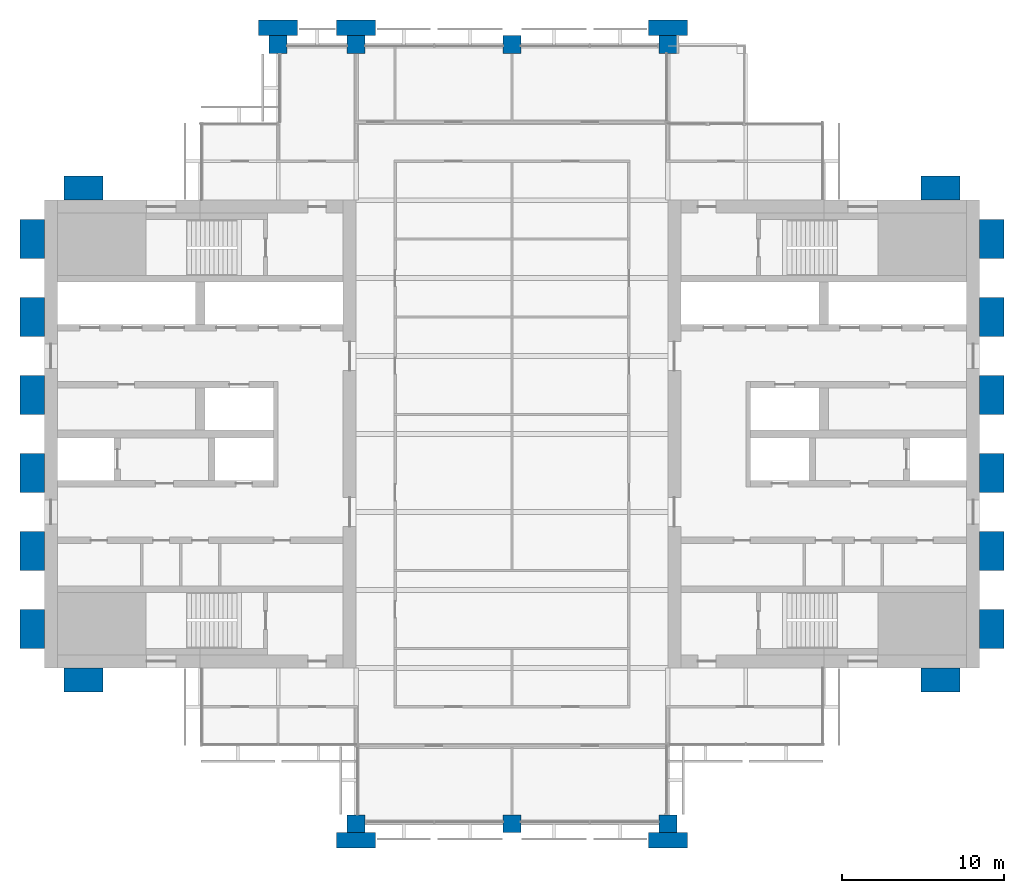
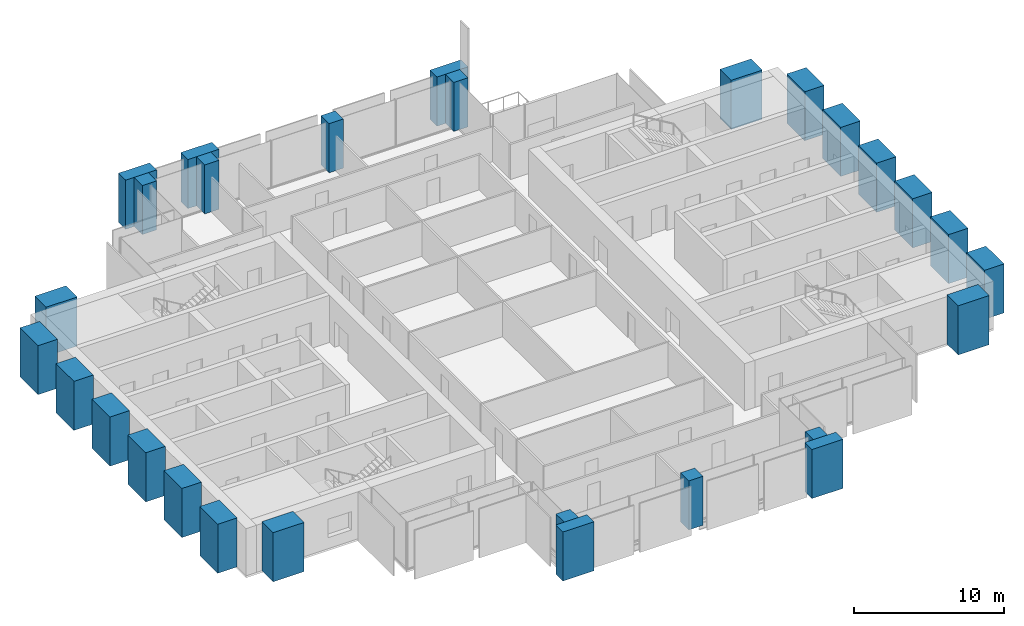
# One storey, part 1 of 13: 28 columns.
"""IFC4 building model written with IfcOpenShell, lengths in metres."""

from ifc_helpers import new_model, si_unit, direction, frame, origin, origin_2d, place, context, subcontext, project, spatial, rectangle, extrude, material, material_profile, profile_set, type_object, element, save


model = new_model("IFC4")

# Units and contexts
model_context = context("Model", 3, precision=1e-05, world=origin(), true_north=direction((0.0, 1.0)))
body_context = subcontext(model_context, "Body", "Model", "MODEL_VIEW")
ifc_project = project(units=[si_unit("LENGTHUNIT", "METRE"), si_unit("AREAUNIT", "SQUARE_METRE"), si_unit("VOLUMEUNIT", "CUBIC_METRE"), si_unit("PLANEANGLEUNIT", "RADIAN"), si_unit("MASSUNIT", "GRAM", prefix="KILO")], contexts=[model_context])

# Site, building, storey
site_placement = place(None, origin())
site = spatial("IfcSite", under=ifc_project, at=site_placement, CompositionType="ELEMENT")
building_placement = place(site_placement, origin())
building = spatial("IfcBuilding", under=site, at=building_placement, Name="Baori Bourse Tower", CompositionType="ELEMENT")
storey_placement = place(building_placement, frame((0.0, 0.0, 205.199951171875)))
storey = spatial("IfcBuildingStorey", under=building, at=storey_placement, Name="L44", CompositionType="ELEMENT", Elevation=205.199951171875)

# Columns
ifc_material_1 = material(Name="Concrete f'c 60 MPa", Category="concrete")
ifc_material_profile_1 = material_profile(ifc_material_1, rectangle(XDim=2.39990234375, YDim=0.949951171875, at=origin_2d()), Name="RC 2400x950")
ifc_profile_set_1 = profile_set([ifc_material_profile_1], Name="Concrete f'c 60 MPa")
column_type_1 = type_object("IfcColumnType", Name="FN3 Brick pilaster 2400x950", PredefinedType="PILASTER", material=ifc_profile_set_1)
for number, where, z_axis, x_axis, name in (
    (1, (19.199951171875, -1.02490234375, 0.0), (0.0, 0.0, 1.0), (1.0, 0.0, 0.0), "Brick pilaster L44 17"),
    (2, (38.39990234375, -1.02490234375, 0.0), (0.0, 0.0, 1.0), (1.0, 0.0, 0.0), "Brick pilaster L44 18"),
    (3, (14.39990234375, 49.02490234375, 0.0), (0.0, 0.0, 1.0), (1.0, 0.0, 0.0), "Brick pilaster L44 19"),
    (4, (19.199951171875, 49.02490234375, 0.0), (0.0, 0.0, 1.0), (1.0, 0.0, 0.0), "Brick pilaster L44 20"),
    (5, (38.39990234375, 49.02490234375, 0.0), (0.0, 0.0, 1.0), (1.0, 0.0, 0.0), "Brick pilaster L44 21"),
):
    element("IfcColumn", number, at=place(storey_placement, frame(where, z_axis=z_axis, x_axis=x_axis)), inside=storey, type_object=column_type_1, Name=name, PredefinedType="PILASTER", context=body_context, shape_type="SweptSolid", body=[
        extrude(rectangle(XDim=2.39990234375, YDim=0.949951171875, at=origin_2d()), origin(), (0.0, 0.0, 1.0), 4.0),
    ])
ifc_material_2 = material(Name="Concrete f'c 60 MPa", Category="concrete")
ifc_material_profile_2 = material_profile(ifc_material_2, rectangle(XDim=2.39990234375, YDim=1.5, at=origin_2d()), Name="RC 2400x1500")
ifc_profile_set_2 = profile_set([ifc_material_profile_2], Name="Concrete f'c 60 MPa")
column_type_2 = type_object("IfcColumnType", Name="FN4 Brick flank pilaster 2400x1500", PredefinedType="PILASTER", material=ifc_profile_set_2)
for number, where, z_axis, x_axis, name in (
    (6, (55.199951171875, 8.85009765625, 0.0), (0.0, 0.0, 1.0), (1.0, 0.0, 0.0), "Brick pilaster L44 1"),
    (7, (58.35009765625, 12.0, 0.0), (0.0, 0.0, 1.0), (0.0, 1.0, 0.0), "Brick pilaster L44 2"),
    (8, (58.35009765625, 16.800048828125, 0.0), (0.0, 0.0, 1.0), (0.0, 1.0, 0.0), "Brick pilaster L44 3"),
    (9, (58.35009765625, 21.60009765625, 0.0), (0.0, 0.0, 1.0), (0.0, 1.0, 0.0), "Brick pilaster L44 4"),
    (10, (58.35009765625, 26.39990234375, 0.0), (0.0, 0.0, 1.0), (0.0, 1.0, 0.0), "Brick pilaster L44 5"),
    (11, (58.35009765625, 31.199951171875, 0.0), (0.0, 0.0, 1.0), (0.0, 1.0, 0.0), "Brick pilaster L44 6"),
    (12, (58.35009765625, 36.0, 0.0), (0.0, 0.0, 1.0), (0.0, 1.0, 0.0), "Brick pilaster L44 7"),
    (13, (55.199951171875, 39.14990234375, 0.0), (0.0, 0.0, 1.0), (1.0, 0.0, 0.0), "Brick pilaster L44 8"),
    (14, (2.39990234375, 39.14990234375, 0.0), (0.0, 0.0, 1.0), (1.0, 0.0, 0.0), "Brick pilaster L44 9"),
    (15, (-0.75, 12.0, 0.0), (0.0, 0.0, 1.0), (0.0, 1.0, 0.0), "Brick pilaster L44 10"),
    (16, (-0.75, 16.800048828125, 0.0), (0.0, 0.0, 1.0), (0.0, 1.0, 0.0), "Brick pilaster L44 11"),
    (17, (-0.75, 21.60009765625, 0.0), (0.0, 0.0, 1.0), (0.0, 1.0, 0.0), "Brick pilaster L44 12"),
    (18, (-0.75, 26.39990234375, 0.0), (0.0, 0.0, 1.0), (0.0, 1.0, 0.0), "Brick pilaster L44 13"),
    (19, (-0.75, 31.199951171875, 0.0), (0.0, 0.0, 1.0), (0.0, 1.0, 0.0), "Brick pilaster L44 14"),
    (20, (-0.75, 36.0, 0.0), (0.0, 0.0, 1.0), (0.0, 1.0, 0.0), "Brick pilaster L44 15"),
    (21, (2.39990234375, 8.85009765625, 0.0), (0.0, 0.0, 1.0), (1.0, 0.0, 0.0), "Brick pilaster L44 16"),
):
    element("IfcColumn", number, at=place(storey_placement, frame(where, z_axis=z_axis, x_axis=x_axis)), inside=storey, type_object=column_type_2, Name=name, PredefinedType="PILASTER", context=body_context, shape_type="SweptSolid", body=[
        extrude(rectangle(XDim=2.39990234375, YDim=1.5, at=origin_2d()), origin(), (0.0, 0.0, 1.0), 4.0),
    ])
ifc_material_3 = material(Name="Concrete f'c 50 MPa", Category="concrete")
ifc_material_profile_3 = material_profile(ifc_material_3, rectangle(XDim=1.10009765625, YDim=1.10009765625, at=origin_2d()), Name="RC 1100x1100")
ifc_profile_set_3 = profile_set([ifc_material_profile_3], Name="Concrete f'c 50 MPa")
column_type_3 = type_object("IfcColumnType", Name="Perimeter column 50 RC 1100x1100", PredefinedType="COLUMN", material=ifc_profile_set_3)
for number, where, z_axis, x_axis, name in (
    (22, (19.199951171875, 0.0, 0.0), (0.0, 0.0, 1.0), (1.0, 0.0, 0.0), "Perimeter column L44"),
    (23, (28.800048828125, 0.0, 0.0), (0.0, 0.0, 1.0), (1.0, 0.0, 0.0), "Perimeter column L44"),
    (24, (38.39990234375, 0.0, 0.0), (0.0, 0.0, 1.0), (1.0, 0.0, 0.0), "Perimeter column L44"),
    (25, (14.39990234375, 48.0, 0.0), (0.0, 0.0, 1.0), (1.0, 0.0, 0.0), "Perimeter column L44"),
    (26, (19.199951171875, 48.0, 0.0), (0.0, 0.0, 1.0), (1.0, 0.0, 0.0), "Perimeter column L44"),
    (27, (28.800048828125, 48.0, 0.0), (0.0, 0.0, 1.0), (1.0, 0.0, 0.0), "Perimeter column L44"),
    (28, (38.39990234375, 48.0, 0.0), (0.0, 0.0, 1.0), (1.0, 0.0, 0.0), "Perimeter column L44"),
):
    element("IfcColumn", number, at=place(storey_placement, frame(where, z_axis=z_axis, x_axis=x_axis)), inside=storey, type_object=column_type_3, Name=name, PredefinedType="COLUMN", context=body_context, shape_type="SweptSolid", body=[
        extrude(rectangle(XDim=1.10009765625, YDim=1.10009765625, at=origin_2d()), origin(), (0.0, 0.0, 1.0), 4.0),
    ])

save(model, "model.ifc")
